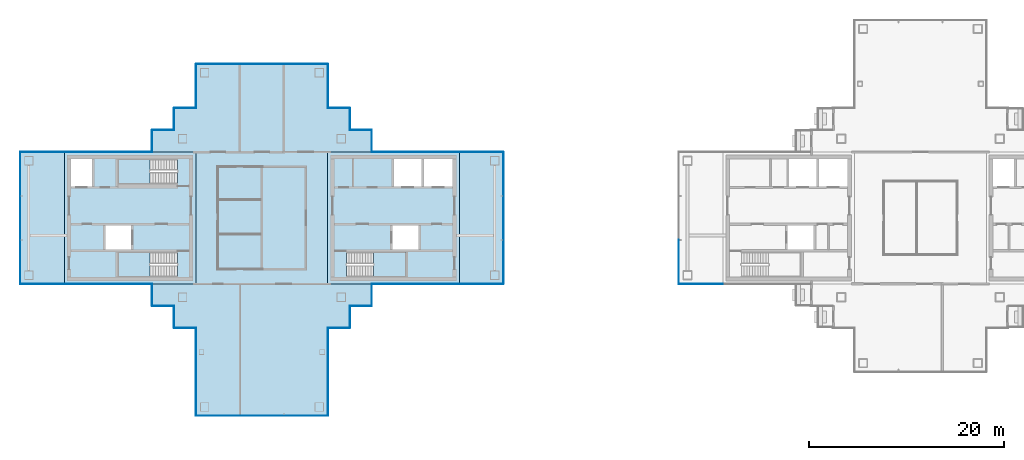
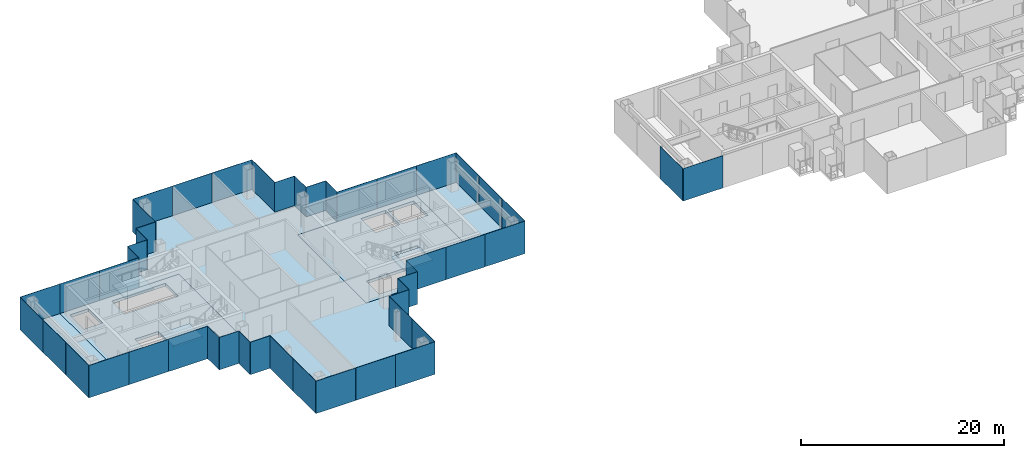
# One storey, part 7 of 16: 48 plates, 8 slabs, 25 elements without a shape of their own.
"""IFC4 building model written with IfcOpenShell, lengths in metres."""

from ifc_helpers import new_model, si_unit, direction, frame, origin, origin_2d, place, context, subcontext, project, spatial, polyline, rectangle, outline, extrude, material, layer, layer_set, type_object, element, aggregate, save


model = new_model("IFC4")

# Units and contexts
model_context = context("Model", 3, precision=1e-05, world=origin(), true_north=direction((0.0, 1.0)))
body_context = subcontext(model_context, "Body", "Model", "MODEL_VIEW")
ifc_project = project(units=[si_unit("LENGTHUNIT", "METRE"), si_unit("AREAUNIT", "SQUARE_METRE"), si_unit("VOLUMEUNIT", "CUBIC_METRE"), si_unit("PLANEANGLEUNIT", "RADIAN"), si_unit("MASSUNIT", "GRAM", prefix="KILO")], contexts=[model_context])

# Site, building, storey
site_placement = place(None, origin())
site = spatial("IfcSite", under=ifc_project, at=site_placement, CompositionType="ELEMENT")
building_placement = place(site_placement, origin())
building = spatial("IfcBuilding", under=site, at=building_placement, Name="Shamsa Quay Exchange Towers", CompositionType="ELEMENT")
storey_placement = place(building_placement, frame((0.0, 0.0, 242.10009765625)))
storey = spatial("IfcBuildingStorey", under=building, at=storey_placement, Name="L58", CompositionType="ELEMENT", Elevation=242.10009765625)

# Slabs
ifc_material_1 = material(Name="Concrete C50/60", Category="concrete")
ifc_layer_1 = layer(ifc_material_1, 0.35009765625)
ifc_layer_set_1 = layer_set([ifc_layer_1], Name="CORE FLOOR 350 C50/60")
slab_type_1 = type_object("IfcSlabType", Name="CORE FLOOR 350 C50/60", PredefinedType="FLOOR", material=ifc_layer_set_1)
slab_1_placement = place(storey_placement, frame((0.0, 0.0, -0.35009765625)))
element("IfcSlab", 1, at=slab_1_placement, inside=storey, type_object=slab_type_1, Name="Core floor T1A", PredefinedType="FLOOR", context=body_context, shape_type="SweptSolid", body=[
    extrude(outline(polyline([(-27.0, -6.75), (-13.5, -6.75), (-13.5, 6.75), (-27.0, 6.75), (-27.0, -6.75)]), holes=[polyline([(-25.099365234375, -6.050048828125), (-25.099365234375, -3.5), (-19.0, -3.5), (-19.0, -6.050048828125), (-25.099365234375, -6.050048828125)]), polyline([(-20.199951171875, 3.25), (-20.199951171875, 6.050048828125), (-17.39990234375, 6.050048828125), (-17.39990234375, 3.25), (-20.199951171875, 3.25)]), polyline([(-17.14990234375, 3.25), (-17.14990234375, 6.050048828125), (-14.199951171875, 6.050048828125), (-14.199951171875, 3.25), (-17.14990234375, 3.25)]), polyline([(-20.35009765625, -3.25), (-20.35009765625, -0.75), (-17.699951171875, -0.75), (-17.699951171875, -3.25), (-20.35009765625, -3.25)])]), origin(), (0.0, 0.0, 1.0), 0.35009765625),
])
slab_2_placement = place(storey_placement, frame((0.0, 0.0, -0.35009765625)))
element("IfcSlab", 2, at=slab_2_placement, inside=storey, type_object=slab_type_1, Name="Core floor T1B", PredefinedType="FLOOR", context=body_context, shape_type="SweptSolid", body=[
    extrude(outline(polyline([(-40.5, -6.75), (-40.5, 6.75), (-54.0, 6.75), (-54.0, -6.75), (-40.5, -6.75)]), holes=[polyline([(-42.400634765625, -3.5), (-42.400634765625, -6.050048828125), (-48.5, -6.050048828125), (-48.5, -3.5), (-42.400634765625, -3.5)]), polyline([(-42.400634765625, 6.050048828125), (-42.400634765625, 3.5), (-48.5, 3.5), (-48.5, 6.050048828125), (-42.400634765625, 6.050048828125)]), polyline([(-51.14990234375, 3.25), (-53.300048828125, 3.25), (-53.300048828125, 6.050048828125), (-51.14990234375, 6.050048828125), (-51.14990234375, 3.25)]), polyline([(-47.14990234375, -3.25), (-49.800048828125, -3.25), (-49.800048828125, -0.75), (-47.14990234375, -0.75), (-47.14990234375, -3.25)])]), origin(), (0.0, 0.0, 1.0), 0.35009765625),
])

# Stair, slab
ifc_material_2 = material(Name="Concrete C40/50", Category="concrete")
stair_type = type_object("IfcStairType", Name="EXIT STAIR 22 RISERS 177 MM", PredefinedType="HALF_TURN_STAIR", material=ifc_material_2)
stair_1_placement = place(storey_placement, origin())
stair_1 = element("IfcStair", 3, at=stair_1_placement, inside=storey, type_object=stair_type, Name="L58 Exit stair ST1", PredefinedType="HALF_TURN_STAIR")
ifc_layer_2 = layer(ifc_material_2, 0.199951171875)
ifc_layer_set_2 = layer_set([ifc_layer_2], Name="CORE STAIR LANDING")
slab_type_2 = type_object("IfcSlabType", Name="CORE STAIR LANDING", PredefinedType="LANDING", material=ifc_layer_set_2)
slab_3_placement = place(storey_placement, frame((0.0, 0.0, 1.75)))
slab_3 = element("IfcSlab", 4, at=slab_3_placement, type_object=slab_type_2, Name="ST1 landing 1", PredefinedType="LANDING", context=body_context, shape_type="SweptSolid", body=[
    extrude(outline(polyline([(-22.300048828125, -6.050048828125), (-19.0, -6.050048828125), (-19.0, -3.5), (-22.300048828125, -3.5), (-22.300048828125, -6.050048828125)])), origin(), (0.0, 0.0, 1.0), 0.199951171875),
])
aggregate(stair_1, [slab_3])

stair_2_placement = place(storey_placement, origin())
stair_2 = element("IfcStair", 5, at=stair_2_placement, inside=storey, type_object=stair_type, Name="L58 Exit stair ST2", PredefinedType="HALF_TURN_STAIR")
slab_4_placement = place(storey_placement, frame((0.0, 0.0, 1.75)))
slab_4 = element("IfcSlab", 6, at=slab_4_placement, type_object=slab_type_2, Name="ST2 landing 1", PredefinedType="LANDING", context=body_context, shape_type="SweptSolid", body=[
    extrude(outline(polyline([(-45.199951171875, -3.5), (-48.5, -3.5), (-48.5, -6.050048828125), (-45.199951171875, -6.050048828125), (-45.199951171875, -3.5)])), origin(), (0.0, 0.0, 1.0), 0.199951171875),
])
aggregate(stair_2, [slab_4])

stair_3_placement = place(storey_placement, origin())
stair_3 = element("IfcStair", 7, at=stair_3_placement, inside=storey, type_object=stair_type, Name="L58 Exit stair ST3", PredefinedType="HALF_TURN_STAIR")
slab_5_placement = place(storey_placement, frame((0.0, 0.0, 1.75)))
slab_5 = element("IfcSlab", 8, at=slab_5_placement, type_object=slab_type_2, Name="ST3 landing 1", PredefinedType="LANDING", context=body_context, shape_type="SweptSolid", body=[
    extrude(outline(polyline([(-45.199951171875, 6.050048828125), (-48.5, 6.050048828125), (-48.5, 3.5), (-45.199951171875, 3.5), (-45.199951171875, 6.050048828125)])), origin(), (0.0, 0.0, 1.0), 0.199951171875),
])
aggregate(stair_3, [slab_5])

# Curtain wall, plates
ifc_material_3 = material(Name="Aluminium EN AW-6063 T6, black anodised", Category="aluminium")
ifc_layer_3 = layer(ifc_material_3, 0.280029296875)
ifc_layer_set_3 = layer_set([ifc_layer_3], Name="CW-1 UNITISED VISION GLASS")
curtain_wall_type_1 = type_object("IfcCurtainWallType", Name="CW-1 UNITISED VISION GLASS", PredefinedType="NOTDEFINED", material=ifc_layer_set_3)
curtain_wall_1_placement = place(storey_placement, origin())
curtain_wall_1 = element("IfcCurtainWall", 9, at=curtain_wall_1_placement, inside=storey, type_object=curtain_wall_type_1, Name="CW1 T1-FLK-V-W L58", PredefinedType="NOTDEFINED")
ifc_material_4 = material(Name="Glass, laminated, dark tinted", Category="glass")
ifc_layer_4 = layer(ifc_material_4, 0.0400390625)
ifc_layer_set_4 = layer_set([ifc_layer_4], Name="CW-1 VISION GLASS 40")
plate_type_1 = type_object("IfcPlateType", Name="CW-1 VISION GLASS 40", PredefinedType="CURTAIN_PANEL", material=ifc_layer_set_4)
plate_1_placement = place(storey_placement, frame((-40.52001953125, -13.52587890625, -0.35009765625), z_axis=(0.0, 0.0, 1.0), x_axis=(0.0, -1.0, 0.0)))
plate_1 = element("IfcPlate", 10, at=plate_1_placement, type_object=plate_type_1, Name="CW1 glass panel", PredefinedType="CURTAIN_PANEL", context=body_context, shape_type="SweptSolid", body=[
    extrude(rectangle(XDim=4.47607421875, YDim=0.0400390625, at=origin_2d()), origin(), (0.0, 0.0, 1.0), 3.89990234375),
])
plate_2_placement = place(storey_placement, frame((-40.52001953125, -18.011962890625, -0.35009765625), z_axis=(0.0, 0.0, 1.0), x_axis=(0.0, -1.0, 0.0)))
plate_2 = element("IfcPlate", 11, at=plate_2_placement, type_object=plate_type_1, Name="CW1 glass panel", PredefinedType="CURTAIN_PANEL", context=body_context, shape_type="SweptSolid", body=[
    extrude(rectangle(XDim=4.47607421875, YDim=0.0400390625, at=origin_2d()), origin(), (0.0, 0.0, 1.0), 3.89990234375),
])
aggregate(curtain_wall_1, [plate_1, plate_2])

curtain_wall_2_placement = place(storey_placement, origin())
curtain_wall_2 = element("IfcCurtainWall", 12, at=curtain_wall_2_placement, inside=storey, type_object=curtain_wall_type_1, Name="CW1 T1-END-V- L58", PredefinedType="NOTDEFINED")
plate_3_placement = place(storey_placement, frame((-38.25244140625, -20.27001953125, -0.35009765625)))
plate_3 = element("IfcPlate", 13, at=plate_3_placement, type_object=plate_type_1, Name="CW1 glass panel", PredefinedType="CURTAIN_PANEL", context=body_context, shape_type="SweptSolid", body=[
    extrude(rectangle(XDim=4.4951171875, YDim=0.0400390625, at=origin_2d()), origin(), (0.0, 0.0, 1.0), 3.89990234375),
])
plate_4_placement = place(storey_placement, frame((-33.75, -20.27001953125, -0.35009765625)))
plate_4 = element("IfcPlate", 14, at=plate_4_placement, type_object=plate_type_1, Name="CW1 glass panel", PredefinedType="CURTAIN_PANEL", context=body_context, shape_type="SweptSolid", body=[
    extrude(rectangle(XDim=4.489990234375, YDim=0.0400390625, at=origin_2d()), origin(), (0.0, 0.0, 1.0), 3.89990234375),
])
plate_5_placement = place(storey_placement, frame((-29.24755859375, -20.27001953125, -0.35009765625)))
plate_5 = element("IfcPlate", 15, at=plate_5_placement, type_object=plate_type_1, Name="CW1 glass panel", PredefinedType="CURTAIN_PANEL", context=body_context, shape_type="SweptSolid", body=[
    extrude(rectangle(XDim=4.4951171875, YDim=0.0400390625, at=origin_2d()), origin(), (0.0, 0.0, 1.0), 3.89990234375),
])
aggregate(curtain_wall_2, [plate_3, plate_4, plate_5])

curtain_wall_3_placement = place(storey_placement, origin())
curtain_wall_3 = element("IfcCurtainWall", 16, at=curtain_wall_3_placement, inside=storey, type_object=curtain_wall_type_1, Name="CW1 T1-FLK-V-E L58", PredefinedType="NOTDEFINED")
plate_6_placement = place(storey_placement, frame((-26.97998046875, -18.00244140625, -0.35009765625), z_axis=(0.0, 0.0, 1.0), x_axis=(0.0, 1.0, 0.0)))
plate_6 = element("IfcPlate", 17, at=plate_6_placement, type_object=plate_type_1, Name="CW1 glass panel", PredefinedType="CURTAIN_PANEL", context=body_context, shape_type="SweptSolid", body=[
    extrude(rectangle(XDim=4.4951171875, YDim=0.0400390625, at=origin_2d()), origin(), (0.0, 0.0, 1.0), 3.89990234375),
])
plate_7_placement = place(storey_placement, frame((-26.97998046875, -13.49755859375, -0.35009765625), z_axis=(0.0, 0.0, 1.0), x_axis=(0.0, 1.0, 0.0)))
plate_7 = element("IfcPlate", 18, at=plate_7_placement, type_object=plate_type_1, Name="CW1 glass panel", PredefinedType="CURTAIN_PANEL", context=body_context, shape_type="SweptSolid", body=[
    extrude(rectangle(XDim=4.4951171875, YDim=0.0400390625, at=origin_2d()), origin(), (0.0, 0.0, 1.0), 3.89990234375),
])
aggregate(curtain_wall_3, [plate_6, plate_7])

# Curtain wall, plate
curtain_wall_4_placement = place(storey_placement, origin())
curtain_wall_4 = element("IfcCurtainWall", 19, at=curtain_wall_4_placement, inside=storey, type_object=curtain_wall_type_1, Name="CW1 T1-FLK-U+S L58", PredefinedType="NOTDEFINED")
plate_8_placement = place(storey_placement, frame((-11.25, -6.77001953125, -0.35009765625)))
plate_8 = element("IfcPlate", 20, at=plate_8_placement, type_object=plate_type_1, Name="CW1 glass panel", PredefinedType="CURTAIN_PANEL", context=body_context, shape_type="SweptSolid", body=[
    extrude(rectangle(XDim=4.5, YDim=0.0400390625, at=origin_2d()), origin(), (0.0, 0.0, 1.0), 3.89990234375),
])
aggregate(curtain_wall_4, [plate_8])

# Curtain wall, plates
curtain_wall_5_placement = place(storey_placement, origin())
curtain_wall_5 = element("IfcCurtainWall", 21, at=curtain_wall_5_placement, inside=storey, type_object=curtain_wall_type_1, Name="CW1 T1-END-U+ L58", PredefinedType="NOTDEFINED")
plate_9_placement = place(storey_placement, frame((-8.97998046875, -4.50244140625, -0.35009765625), z_axis=(0.0, 0.0, 1.0), x_axis=(0.0, 1.0, 0.0)))
plate_9 = element("IfcPlate", 22, at=plate_9_placement, type_object=plate_type_1, Name="CW1 glass panel", PredefinedType="CURTAIN_PANEL", context=body_context, shape_type="SweptSolid", body=[
    extrude(rectangle(XDim=4.4951171875, YDim=0.0400390625, at=origin_2d()), origin(), (0.0, 0.0, 1.0), 3.89990234375),
])
plate_10_placement = place(storey_placement, frame((-8.97998046875, 0.0, -0.35009765625), z_axis=(0.0, 0.0, 1.0), x_axis=(0.0, 1.0, 0.0)))
plate_10 = element("IfcPlate", 23, at=plate_10_placement, type_object=plate_type_1, Name="CW1 glass panel", PredefinedType="CURTAIN_PANEL", context=body_context, shape_type="SweptSolid", body=[
    extrude(rectangle(XDim=4.489990234375, YDim=0.0400390625, at=origin_2d()), origin(), (0.0, 0.0, 1.0), 3.89990234375),
])
plate_11_placement = place(storey_placement, frame((-8.97998046875, 4.50244140625, -0.35009765625), z_axis=(0.0, 0.0, 1.0), x_axis=(0.0, 1.0, 0.0)))
plate_11 = element("IfcPlate", 24, at=plate_11_placement, type_object=plate_type_1, Name="CW1 glass panel", PredefinedType="CURTAIN_PANEL", context=body_context, shape_type="SweptSolid", body=[
    extrude(rectangle(XDim=4.4951171875, YDim=0.0400390625, at=origin_2d()), origin(), (0.0, 0.0, 1.0), 3.89990234375),
])
aggregate(curtain_wall_5, [plate_9, plate_10, plate_11])

# Curtain wall, plate
curtain_wall_6_placement = place(storey_placement, origin())
curtain_wall_6 = element("IfcCurtainWall", 25, at=curtain_wall_6_placement, inside=storey, type_object=curtain_wall_type_1, Name="CW1 T1-FLK-U+N L58", PredefinedType="NOTDEFINED")
plate_12_placement = place(storey_placement, frame((-11.25, 6.77001953125, -0.35009765625), z_axis=(0.0, 0.0, 1.0), x_axis=(-1.0, 0.0, 0.0)))
plate_12 = element("IfcPlate", 26, at=plate_12_placement, type_object=plate_type_1, Name="CW1 glass panel", PredefinedType="CURTAIN_PANEL", context=body_context, shape_type="SweptSolid", body=[
    extrude(rectangle(XDim=4.5, YDim=0.0400390625, at=origin_2d()), origin(), (0.0, 0.0, 1.0), 3.89990234375),
])
aggregate(curtain_wall_6, [plate_12])

curtain_wall_7_placement = place(storey_placement, origin())
curtain_wall_7 = element("IfcCurtainWall", 27, at=curtain_wall_7_placement, inside=storey, type_object=curtain_wall_type_1, Name="CW1 T1-FLK-V+E L58", PredefinedType="NOTDEFINED")
plate_13_placement = place(storey_placement, frame((-26.97998046875, 13.51904296875, -0.35009765625), z_axis=(0.0, 0.0, 1.0), x_axis=(0.0, 1.0, 0.0)))
plate_13 = element("IfcPlate", 28, at=plate_13_placement, type_object=plate_type_1, Name="CW1 glass panel", PredefinedType="CURTAIN_PANEL", context=body_context, shape_type="SweptSolid", body=[
    extrude(rectangle(XDim=4.4619140625, YDim=0.0400390625, at=origin_2d()), origin(), (0.0, 0.0, 1.0), 3.89990234375),
])
aggregate(curtain_wall_7, [plate_13])

# Curtain wall, plates
curtain_wall_8_placement = place(storey_placement, origin())
curtain_wall_8 = element("IfcCurtainWall", 29, at=curtain_wall_8_placement, inside=storey, type_object=curtain_wall_type_1, Name="CW1 T1-END-V+ L58", PredefinedType="NOTDEFINED")
plate_14_placement = place(storey_placement, frame((-29.24755859375, 15.77001953125, -0.35009765625), z_axis=(0.0, 0.0, 1.0), x_axis=(-1.0, 0.0, 0.0)))
plate_14 = element("IfcPlate", 30, at=plate_14_placement, type_object=plate_type_1, Name="CW1 glass panel", PredefinedType="CURTAIN_PANEL", context=body_context, shape_type="SweptSolid", body=[
    extrude(rectangle(XDim=4.4951171875, YDim=0.0400390625, at=origin_2d()), origin(), (0.0, 0.0, 1.0), 3.89990234375),
])
plate_15_placement = place(storey_placement, frame((-33.75, 15.77001953125, -0.35009765625), z_axis=(0.0, 0.0, 1.0), x_axis=(-1.0, 0.0, 0.0)))
plate_15 = element("IfcPlate", 31, at=plate_15_placement, type_object=plate_type_1, Name="CW1 glass panel", PredefinedType="CURTAIN_PANEL", context=body_context, shape_type="SweptSolid", body=[
    extrude(rectangle(XDim=4.489990234375, YDim=0.0400390625, at=origin_2d()), origin(), (0.0, 0.0, 1.0), 3.89990234375),
])
plate_16_placement = place(storey_placement, frame((-38.25244140625, 15.77001953125, -0.35009765625), z_axis=(0.0, 0.0, 1.0), x_axis=(-1.0, 0.0, 0.0)))
plate_16 = element("IfcPlate", 32, at=plate_16_placement, type_object=plate_type_1, Name="CW1 glass panel", PredefinedType="CURTAIN_PANEL", context=body_context, shape_type="SweptSolid", body=[
    extrude(rectangle(XDim=4.4951171875, YDim=0.0400390625, at=origin_2d()), origin(), (0.0, 0.0, 1.0), 3.89990234375),
])
aggregate(curtain_wall_8, [plate_14, plate_15, plate_16])

# Curtain wall, plate
curtain_wall_9_placement = place(storey_placement, origin())
curtain_wall_9 = element("IfcCurtainWall", 33, at=curtain_wall_9_placement, inside=storey, type_object=curtain_wall_type_1, Name="CW1 T1-FLK-V+W L58", PredefinedType="NOTDEFINED")
plate_17_placement = place(storey_placement, frame((-40.52001953125, 13.5, -0.35009765625), z_axis=(0.0, 0.0, 1.0), x_axis=(0.0, -1.0, 0.0)))
plate_17 = element("IfcPlate", 34, at=plate_17_placement, type_object=plate_type_1, Name="CW1 glass panel", PredefinedType="CURTAIN_PANEL", context=body_context, shape_type="SweptSolid", body=[
    extrude(rectangle(XDim=4.5, YDim=0.0400390625, at=origin_2d()), origin(), (0.0, 0.0, 1.0), 3.89990234375),
])
aggregate(curtain_wall_9, [plate_17])

curtain_wall_10_placement = place(storey_placement, origin())
curtain_wall_10 = element("IfcCurtainWall", 35, at=curtain_wall_10_placement, inside=storey, type_object=curtain_wall_type_1, Name="CW1 T1-FLK-U-N L58", PredefinedType="NOTDEFINED")
plate_18_placement = place(storey_placement, frame((-56.25, 6.77001953125, -0.35009765625), z_axis=(0.0, 0.0, 1.0), x_axis=(-1.0, 0.0, 0.0)))
plate_18 = element("IfcPlate", 36, at=plate_18_placement, type_object=plate_type_1, Name="CW1 glass panel", PredefinedType="CURTAIN_PANEL", context=body_context, shape_type="SweptSolid", body=[
    extrude(rectangle(XDim=4.5, YDim=0.0400390625, at=origin_2d()), origin(), (0.0, 0.0, 1.0), 3.89990234375),
])
aggregate(curtain_wall_10, [plate_18])

# Curtain wall, plates
curtain_wall_11_placement = place(storey_placement, origin())
curtain_wall_11 = element("IfcCurtainWall", 37, at=curtain_wall_11_placement, inside=storey, type_object=curtain_wall_type_1, Name="CW1 T1-END-U- L58", PredefinedType="NOTDEFINED")
plate_19_placement = place(storey_placement, frame((-58.52001953125, 4.50244140625, -0.35009765625), z_axis=(0.0, 0.0, 1.0), x_axis=(0.0, -1.0, 0.0)))
plate_19 = element("IfcPlate", 38, at=plate_19_placement, type_object=plate_type_1, Name="CW1 glass panel", PredefinedType="CURTAIN_PANEL", context=body_context, shape_type="SweptSolid", body=[
    extrude(rectangle(XDim=4.4951171875, YDim=0.0400390625, at=origin_2d()), origin(), (0.0, 0.0, 1.0), 3.89990234375),
])
plate_20_placement = place(storey_placement, frame((-58.52001953125, 0.0, -0.35009765625), z_axis=(0.0, 0.0, 1.0), x_axis=(0.0, -1.0, 0.0)))
plate_20 = element("IfcPlate", 39, at=plate_20_placement, type_object=plate_type_1, Name="CW1 glass panel", PredefinedType="CURTAIN_PANEL", context=body_context, shape_type="SweptSolid", body=[
    extrude(rectangle(XDim=4.489990234375, YDim=0.0400390625, at=origin_2d()), origin(), (0.0, 0.0, 1.0), 3.89990234375),
])
plate_21_placement = place(storey_placement, frame((-58.52001953125, -4.50244140625, -0.35009765625), z_axis=(0.0, 0.0, 1.0), x_axis=(0.0, -1.0, 0.0)))
plate_21 = element("IfcPlate", 40, at=plate_21_placement, type_object=plate_type_1, Name="CW1 glass panel", PredefinedType="CURTAIN_PANEL", context=body_context, shape_type="SweptSolid", body=[
    extrude(rectangle(XDim=4.4951171875, YDim=0.0400390625, at=origin_2d()), origin(), (0.0, 0.0, 1.0), 3.89990234375),
])
aggregate(curtain_wall_11, [plate_19, plate_20, plate_21])

# Curtain wall, plate
curtain_wall_12_placement = place(storey_placement, origin())
curtain_wall_12 = element("IfcCurtainWall", 41, at=curtain_wall_12_placement, inside=storey, type_object=curtain_wall_type_1, Name="CW1 T1-FLK-U-S L58", PredefinedType="NOTDEFINED")
plate_22_placement = place(storey_placement, frame((-56.25, -6.77001953125, -0.35009765625)))
plate_22 = element("IfcPlate", 42, at=plate_22_placement, type_object=plate_type_1, Name="CW1 glass panel", PredefinedType="CURTAIN_PANEL", context=body_context, shape_type="SweptSolid", body=[
    extrude(rectangle(XDim=4.5, YDim=0.0400390625, at=origin_2d()), origin(), (0.0, 0.0, 1.0), 3.89990234375),
])
aggregate(curtain_wall_12, [plate_22])

curtain_wall_13_placement = place(storey_placement, origin())
curtain_wall_13 = element("IfcCurtainWall", 43, at=curtain_wall_13_placement, inside=storey, type_object=curtain_wall_type_1, Name="CW1 T2-END-V+ L58", PredefinedType="NOTDEFINED")
plate_23_placement = place(storey_placement, frame((8.97998046875, -4.50244140625, -0.35009765625), z_axis=(0.0, 0.0, 1.0), x_axis=(0.0, -1.0, 0.0)))
plate_23 = element("IfcPlate", 44, at=plate_23_placement, type_object=plate_type_1, Name="CW1 glass panel", PredefinedType="CURTAIN_PANEL", context=body_context, shape_type="SweptSolid", body=[
    extrude(rectangle(XDim=4.4951171875, YDim=0.0400390625, at=origin_2d()), origin(), (0.0, 0.0, 1.0), 3.89990234375),
])
aggregate(curtain_wall_13, [plate_23])

curtain_wall_14_placement = place(storey_placement, origin())
curtain_wall_14 = element("IfcCurtainWall", 45, at=curtain_wall_14_placement, inside=storey, type_object=curtain_wall_type_1, Name="CW1 T2-FLK-V+W L58", PredefinedType="NOTDEFINED")
plate_24_placement = place(storey_placement, frame((11.25, -6.77001953125, -0.35009765625)))
plate_24 = element("IfcPlate", 46, at=plate_24_placement, type_object=plate_type_1, Name="CW1 glass panel", PredefinedType="CURTAIN_PANEL", context=body_context, shape_type="SweptSolid", body=[
    extrude(rectangle(XDim=4.5, YDim=0.0400390625, at=origin_2d()), origin(), (0.0, 0.0, 1.0), 3.89990234375),
])
aggregate(curtain_wall_14, [plate_24])

# Curtain wall, plates
ifc_layer_5 = layer(ifc_material_3, 0.303955078125)
ifc_layer_set_5 = layer_set([ifc_layer_5], Name="CW-2 UNITISED OPAQUE SPANDREL GLASS")
curtain_wall_type_2 = type_object("IfcCurtainWallType", Name="CW-2 UNITISED OPAQUE SPANDREL GLASS", PredefinedType="NOTDEFINED", material=ifc_layer_set_5)
curtain_wall_15_placement = place(storey_placement, origin())
curtain_wall_15 = element("IfcCurtainWall", 47, at=curtain_wall_15_placement, inside=storey, type_object=curtain_wall_type_2, Name="CW2 T1-FLK-U+S L58", PredefinedType="NOTDEFINED")
ifc_material_5 = material(Name="Glass, laminated, black enamelled opaque", Category="glass")
ifc_layer_6 = layer(ifc_material_5, 0.0439453125)
ifc_layer_set_6 = layer_set([ifc_layer_6], Name="CW-2 SPANDREL GLASS 44")
plate_type_2 = type_object("IfcPlateType", Name="CW-2 SPANDREL GLASS 44", PredefinedType="CURTAIN_PANEL", material=ifc_layer_set_6)
plate_25_placement = place(storey_placement, frame((-20.22412109375, -6.77197265625, -0.35009765625)))
plate_25 = element("IfcPlate", 48, at=plate_25_placement, type_object=plate_type_2, Name="CW2 glass panel", PredefinedType="CURTAIN_PANEL", context=body_context, shape_type="SweptSolid", body=[
    extrude(rectangle(XDim=4.47607421875, YDim=0.0439453125, at=origin_2d()), origin(), (0.0, 0.0, 1.0), 3.89990234375),
])
plate_26_placement = place(storey_placement, frame((-15.738037109375, -6.77197265625, -0.35009765625)))
plate_26 = element("IfcPlate", 49, at=plate_26_placement, type_object=plate_type_2, Name="CW2 glass panel", PredefinedType="CURTAIN_PANEL", context=body_context, shape_type="SweptSolid", body=[
    extrude(rectangle(XDim=4.47607421875, YDim=0.0439453125, at=origin_2d()), origin(), (0.0, 0.0, 1.0), 3.89990234375),
])
aggregate(curtain_wall_15, [plate_25, plate_26])

curtain_wall_16_placement = place(storey_placement, origin())
curtain_wall_16 = element("IfcCurtainWall", 50, at=curtain_wall_16_placement, inside=storey, type_object=curtain_wall_type_2, Name="CW2 T1-FLK-U+N L58", PredefinedType="NOTDEFINED")
plate_27_placement = place(storey_placement, frame((-15.74755859375, 6.77197265625, -0.35009765625), z_axis=(0.0, 0.0, 1.0), x_axis=(-1.0, 0.0, 0.0)))
plate_27 = element("IfcPlate", 51, at=plate_27_placement, type_object=plate_type_2, Name="CW2 glass panel", PredefinedType="CURTAIN_PANEL", context=body_context, shape_type="SweptSolid", body=[
    extrude(rectangle(XDim=4.4951171875, YDim=0.0439453125, at=origin_2d()), origin(), (0.0, 0.0, 1.0), 3.89990234375),
])
plate_28_placement = place(storey_placement, frame((-20.25244140625, 6.77197265625, -0.35009765625), z_axis=(0.0, 0.0, 1.0), x_axis=(-1.0, 0.0, 0.0)))
plate_28 = element("IfcPlate", 52, at=plate_28_placement, type_object=plate_type_2, Name="CW2 glass panel", PredefinedType="CURTAIN_PANEL", context=body_context, shape_type="SweptSolid", body=[
    extrude(rectangle(XDim=4.4951171875, YDim=0.0439453125, at=origin_2d()), origin(), (0.0, 0.0, 1.0), 3.89990234375),
])
aggregate(curtain_wall_16, [plate_27, plate_28])

curtain_wall_17_placement = place(storey_placement, origin())
curtain_wall_17 = element("IfcCurtainWall", 53, at=curtain_wall_17_placement, inside=storey, type_object=curtain_wall_type_2, Name="CW2 T1-FLK-U-N L58", PredefinedType="NOTDEFINED")
plate_29_placement = place(storey_placement, frame((-47.27587890625, 6.77197265625, -0.35009765625), z_axis=(0.0, 0.0, 1.0), x_axis=(-1.0, 0.0, 0.0)))
plate_29 = element("IfcPlate", 54, at=plate_29_placement, type_object=plate_type_2, Name="CW2 glass panel", PredefinedType="CURTAIN_PANEL", context=body_context, shape_type="SweptSolid", body=[
    extrude(rectangle(XDim=4.47607421875, YDim=0.0439453125, at=origin_2d()), origin(), (0.0, 0.0, 1.0), 3.89990234375),
])
plate_30_placement = place(storey_placement, frame((-51.761962890625, 6.77197265625, -0.35009765625), z_axis=(0.0, 0.0, 1.0), x_axis=(-1.0, 0.0, 0.0)))
plate_30 = element("IfcPlate", 55, at=plate_30_placement, type_object=plate_type_2, Name="CW2 glass panel", PredefinedType="CURTAIN_PANEL", context=body_context, shape_type="SweptSolid", body=[
    extrude(rectangle(XDim=4.47607421875, YDim=0.0439453125, at=origin_2d()), origin(), (0.0, 0.0, 1.0), 3.89990234375),
])
aggregate(curtain_wall_17, [plate_29, plate_30])

curtain_wall_18_placement = place(storey_placement, origin())
curtain_wall_18 = element("IfcCurtainWall", 56, at=curtain_wall_18_placement, inside=storey, type_object=curtain_wall_type_2, Name="CW2 T1-FLK-U-S L58", PredefinedType="NOTDEFINED")
plate_31_placement = place(storey_placement, frame((-51.75244140625, -6.77197265625, -0.35009765625)))
plate_31 = element("IfcPlate", 57, at=plate_31_placement, type_object=plate_type_2, Name="CW2 glass panel", PredefinedType="CURTAIN_PANEL", context=body_context, shape_type="SweptSolid", body=[
    extrude(rectangle(XDim=4.4951171875, YDim=0.0439453125, at=origin_2d()), origin(), (0.0, 0.0, 1.0), 3.89990234375),
])
plate_32_placement = place(storey_placement, frame((-47.24755859375, -6.77197265625, -0.35009765625)))
plate_32 = element("IfcPlate", 58, at=plate_32_placement, type_object=plate_type_2, Name="CW2 glass panel", PredefinedType="CURTAIN_PANEL", context=body_context, shape_type="SweptSolid", body=[
    extrude(rectangle(XDim=4.4951171875, YDim=0.0439453125, at=origin_2d()), origin(), (0.0, 0.0, 1.0), 3.89990234375),
])
aggregate(curtain_wall_18, [plate_31, plate_32])

ifc_layer_7 = layer(ifc_material_3, 0.256103515625)
ifc_layer_set_7 = layer_set([ifc_layer_7], Name="CW-4 POCKET SERRATED GLAZING")
curtain_wall_type_3 = type_object("IfcCurtainWallType", Name="CW-4 POCKET SERRATED GLAZING", PredefinedType="NOTDEFINED", material=ifc_layer_set_7)
curtain_wall_19_placement = place(storey_placement, origin())
curtain_wall_19 = element("IfcCurtainWall", 59, at=curtain_wall_19_placement, inside=storey, type_object=curtain_wall_type_3, Name="CW4 PKWS L58", PredefinedType="NOTDEFINED")
ifc_layer_8 = layer(ifc_material_4, 0.035888671875)
ifc_layer_set_8 = layer_set([ifc_layer_8], Name="CW-4 POCKET GLASS 36")
plate_type_3 = type_object("IfcPlateType", Name="CW-4 POCKET GLASS 36", PredefinedType="CURTAIN_PANEL", material=ifc_layer_set_8)
plate_33_placement = place(storey_placement, frame((-42.76806640625, -10.14404296875, -0.35009765625), z_axis=(0.0, 0.0, 1.0), x_axis=(0.0, -1.0, 0.0)))
plate_33 = element("IfcPlate", 60, at=plate_33_placement, type_object=plate_type_3, Name="CW4 glass panel", PredefinedType="CURTAIN_PANEL", context=body_context, shape_type="SweptSolid", body=[
    extrude(rectangle(XDim=2.2119140625, YDim=0.035888671875, at=origin_2d()), origin(), (0.0, 0.0, 1.0), 3.89990234375),
])
plate_34_placement = place(storey_placement, frame((-41.625, -11.26806640625, -0.35009765625)))
plate_34 = element("IfcPlate", 61, at=plate_34_placement, type_object=plate_type_3, Name="CW4 glass panel", PredefinedType="CURTAIN_PANEL", context=body_context, shape_type="SweptSolid", body=[
    extrude(rectangle(XDim=2.25, YDim=0.035888671875, at=origin_2d()), origin(), (0.0, 0.0, 1.0), 3.89990234375),
])
plate_35_placement = place(storey_placement, frame((-45.01806640625, -7.89794921875, -0.35009765625), z_axis=(0.0, 0.0, 1.0), x_axis=(0.0, -1.0, 0.0)))
plate_35 = element("IfcPlate", 62, at=plate_35_placement, type_object=plate_type_3, Name="CW4 glass panel", PredefinedType="CURTAIN_PANEL", context=body_context, shape_type="SweptSolid", body=[
    extrude(rectangle(XDim=2.2041015625, YDim=0.035888671875, at=origin_2d()), origin(), (0.0, 0.0, 1.0), 3.89990234375),
])
plate_36_placement = place(storey_placement, frame((-43.875, -9.01806640625, -0.35009765625)))
plate_36 = element("IfcPlate", 63, at=plate_36_placement, type_object=plate_type_3, Name="CW4 glass panel", PredefinedType="CURTAIN_PANEL", context=body_context, shape_type="SweptSolid", body=[
    extrude(rectangle(XDim=2.25, YDim=0.035888671875, at=origin_2d()), origin(), (0.0, 0.0, 1.0), 3.89990234375),
])
aggregate(curtain_wall_19, [plate_33, plate_34, plate_35, plate_36])

curtain_wall_20_placement = place(storey_placement, origin())
curtain_wall_20 = element("IfcCurtainWall", 64, at=curtain_wall_20_placement, inside=storey, type_object=curtain_wall_type_3, Name="CW4 PKES L58", PredefinedType="NOTDEFINED")
plate_37_placement = place(storey_placement, frame((-25.85400390625, -11.26806640625, -0.35009765625)))
plate_37 = element("IfcPlate", 65, at=plate_37_placement, type_object=plate_type_3, Name="CW4 glass panel", PredefinedType="CURTAIN_PANEL", context=body_context, shape_type="SweptSolid", body=[
    extrude(rectangle(XDim=2.2080078125, YDim=0.035888671875, at=origin_2d()), origin(), (0.0, 0.0, 1.0), 3.89990234375),
])
plate_38_placement = place(storey_placement, frame((-24.73193359375, -10.125, -0.35009765625), z_axis=(0.0, 0.0, 1.0), x_axis=(0.0, 1.0, 0.0)))
plate_38 = element("IfcPlate", 66, at=plate_38_placement, type_object=plate_type_3, Name="CW4 glass panel", PredefinedType="CURTAIN_PANEL", context=body_context, shape_type="SweptSolid", body=[
    extrude(rectangle(XDim=2.25, YDim=0.035888671875, at=origin_2d()), origin(), (0.0, 0.0, 1.0), 3.89990234375),
])
plate_39_placement = place(storey_placement, frame((-23.60595703125, -9.01806640625, -0.35009765625)))
plate_39 = element("IfcPlate", 67, at=plate_39_placement, type_object=plate_type_3, Name="CW4 glass panel", PredefinedType="CURTAIN_PANEL", context=body_context, shape_type="SweptSolid", body=[
    extrude(rectangle(XDim=2.2119140625, YDim=0.035888671875, at=origin_2d()), origin(), (0.0, 0.0, 1.0), 3.89990234375),
])
plate_40_placement = place(storey_placement, frame((-22.48193359375, -7.875, -0.35009765625), z_axis=(0.0, 0.0, 1.0), x_axis=(0.0, 1.0, 0.0)))
plate_40 = element("IfcPlate", 68, at=plate_40_placement, type_object=plate_type_3, Name="CW4 glass panel", PredefinedType="CURTAIN_PANEL", context=body_context, shape_type="SweptSolid", body=[
    extrude(rectangle(XDim=2.25, YDim=0.035888671875, at=origin_2d()), origin(), (0.0, 0.0, 1.0), 3.89990234375),
])
aggregate(curtain_wall_20, [plate_37, plate_38, plate_39, plate_40])

curtain_wall_21_placement = place(storey_placement, origin())
curtain_wall_21 = element("IfcCurtainWall", 69, at=curtain_wall_21_placement, inside=storey, type_object=curtain_wall_type_3, Name="CW4 PKEN L58", PredefinedType="NOTDEFINED")
plate_41_placement = place(storey_placement, frame((-22.48193359375, 7.89794921875, -0.35009765625), z_axis=(0.0, 0.0, 1.0), x_axis=(0.0, 1.0, 0.0)))
plate_41 = element("IfcPlate", 70, at=plate_41_placement, type_object=plate_type_3, Name="CW4 glass panel", PredefinedType="CURTAIN_PANEL", context=body_context, shape_type="SweptSolid", body=[
    extrude(rectangle(XDim=2.2041015625, YDim=0.035888671875, at=origin_2d()), origin(), (0.0, 0.0, 1.0), 3.89990234375),
])
plate_42_placement = place(storey_placement, frame((-23.625, 9.01806640625, -0.35009765625), z_axis=(0.0, 0.0, 1.0), x_axis=(-1.0, 0.0, 0.0)))
plate_42 = element("IfcPlate", 71, at=plate_42_placement, type_object=plate_type_3, Name="CW4 glass panel", PredefinedType="CURTAIN_PANEL", context=body_context, shape_type="SweptSolid", body=[
    extrude(rectangle(XDim=2.25, YDim=0.035888671875, at=origin_2d()), origin(), (0.0, 0.0, 1.0), 3.89990234375),
])
plate_43_placement = place(storey_placement, frame((-24.73193359375, 10.14404296875, -0.35009765625), z_axis=(0.0, 0.0, 1.0), x_axis=(0.0, 1.0, 0.0)))
plate_43 = element("IfcPlate", 72, at=plate_43_placement, type_object=plate_type_3, Name="CW4 glass panel", PredefinedType="CURTAIN_PANEL", context=body_context, shape_type="SweptSolid", body=[
    extrude(rectangle(XDim=2.2119140625, YDim=0.035888671875, at=origin_2d()), origin(), (0.0, 0.0, 1.0), 3.89990234375),
])
plate_44_placement = place(storey_placement, frame((-25.875, 11.26806640625, -0.35009765625), z_axis=(0.0, 0.0, 1.0), x_axis=(-1.0, 0.0, 0.0)))
plate_44 = element("IfcPlate", 73, at=plate_44_placement, type_object=plate_type_3, Name="CW4 glass panel", PredefinedType="CURTAIN_PANEL", context=body_context, shape_type="SweptSolid", body=[
    extrude(rectangle(XDim=2.25, YDim=0.035888671875, at=origin_2d()), origin(), (0.0, 0.0, 1.0), 3.89990234375),
])
aggregate(curtain_wall_21, [plate_41, plate_42, plate_43, plate_44])

curtain_wall_22_placement = place(storey_placement, origin())
curtain_wall_22 = element("IfcCurtainWall", 74, at=curtain_wall_22_placement, inside=storey, type_object=curtain_wall_type_3, Name="CW4 PKWN L58", PredefinedType="NOTDEFINED")
plate_45_placement = place(storey_placement, frame((-41.64599609375, 11.26806640625, -0.35009765625), z_axis=(0.0, 0.0, 1.0), x_axis=(-1.0, 0.0, 0.0)))
plate_45 = element("IfcPlate", 75, at=plate_45_placement, type_object=plate_type_3, Name="CW4 glass panel", PredefinedType="CURTAIN_PANEL", context=body_context, shape_type="SweptSolid", body=[
    extrude(rectangle(XDim=2.2080078125, YDim=0.035888671875, at=origin_2d()), origin(), (0.0, 0.0, 1.0), 3.89990234375),
])
plate_46_placement = place(storey_placement, frame((-42.76806640625, 10.125, -0.35009765625), z_axis=(0.0, 0.0, 1.0), x_axis=(0.0, -1.0, 0.0)))
plate_46 = element("IfcPlate", 76, at=plate_46_placement, type_object=plate_type_3, Name="CW4 glass panel", PredefinedType="CURTAIN_PANEL", context=body_context, shape_type="SweptSolid", body=[
    extrude(rectangle(XDim=2.25, YDim=0.035888671875, at=origin_2d()), origin(), (0.0, 0.0, 1.0), 3.89990234375),
])
plate_47_placement = place(storey_placement, frame((-43.89404296875, 9.01806640625, -0.35009765625), z_axis=(0.0, 0.0, 1.0), x_axis=(-1.0, 0.0, 0.0)))
plate_47 = element("IfcPlate", 77, at=plate_47_placement, type_object=plate_type_3, Name="CW4 glass panel", PredefinedType="CURTAIN_PANEL", context=body_context, shape_type="SweptSolid", body=[
    extrude(rectangle(XDim=2.2119140625, YDim=0.035888671875, at=origin_2d()), origin(), (0.0, 0.0, 1.0), 3.89990234375),
])
plate_48_placement = place(storey_placement, frame((-45.01806640625, 7.875, -0.35009765625), z_axis=(0.0, 0.0, 1.0), x_axis=(0.0, -1.0, 0.0)))
plate_48 = element("IfcPlate", 78, at=plate_48_placement, type_object=plate_type_3, Name="CW4 glass panel", PredefinedType="CURTAIN_PANEL", context=body_context, shape_type="SweptSolid", body=[
    extrude(rectangle(XDim=2.25, YDim=0.035888671875, at=origin_2d()), origin(), (0.0, 0.0, 1.0), 3.89990234375),
])
aggregate(curtain_wall_22, [plate_45, plate_46, plate_47, plate_48])

# Slabs
ifc_layer_9 = layer(ifc_material_2, 0.35009765625)
ifc_layer_set_9 = layer_set([ifc_layer_9], Name="Flat slab 350")
slab_type_3 = type_object("IfcSlabType", Name="Flat slab 350", PredefinedType="FLOOR", material=ifc_layer_set_9)
slab_6_placement = place(storey_placement, frame((0.0, 0.0, -0.35009765625)))
element("IfcSlab", 79, at=slab_6_placement, inside=storey, type_object=slab_type_3, Name="Flat slab T1 L58 1", PredefinedType="FLOOR", context=body_context, shape_type="SweptSolid", body=[
    extrude(outline(polyline([(-58.5, -6.75), (-54.0, -6.75), (-54.0, 6.75), (-58.5, 6.75), (-58.5, -6.75)])), origin(), (0.0, 0.0, 1.0), 0.35009765625),
])
slab_7_placement = place(storey_placement, frame((0.0, 0.0, -0.35009765625)))
element("IfcSlab", 80, at=slab_7_placement, inside=storey, type_object=slab_type_3, Name="Flat slab T1 L58 2", PredefinedType="FLOOR", context=body_context, shape_type="SweptSolid", body=[
    extrude(outline(polyline([(-22.5, -9.0), (-22.5, -6.75), (-27.0, -6.75), (-27.0, 6.75), (-22.5, 6.75), (-22.5, 9.0), (-24.75, 9.0), (-24.75, 11.25), (-27.0, 11.25), (-27.0, 15.75), (-40.5, 15.75), (-40.5, 11.25), (-42.75, 11.25), (-42.75, 9.0), (-45.0, 9.0), (-45.0, 6.75), (-40.5, 6.75), (-40.5, -6.75), (-45.0, -6.75), (-45.0, -9.0), (-42.75, -9.0), (-42.75, -11.25), (-40.5, -11.25), (-40.5, -20.25), (-27.0, -20.25), (-27.0, -11.25), (-24.75, -11.25), (-24.75, -9.0), (-22.5, -9.0)])), origin(), (0.0, 0.0, 1.0), 0.35009765625),
])
slab_8_placement = place(storey_placement, frame((0.0, 0.0, -0.35009765625)))
element("IfcSlab", 81, at=slab_8_placement, inside=storey, type_object=slab_type_3, Name="Flat slab T1 L58 3", PredefinedType="FLOOR", context=body_context, shape_type="SweptSolid", body=[
    extrude(outline(polyline([(-9.0, 6.75), (-13.5, 6.75), (-13.5, -6.75), (-9.0, -6.75), (-9.0, 6.75)])), origin(), (0.0, 0.0, 1.0), 0.35009765625),
])

save(model, "model.ifc")
